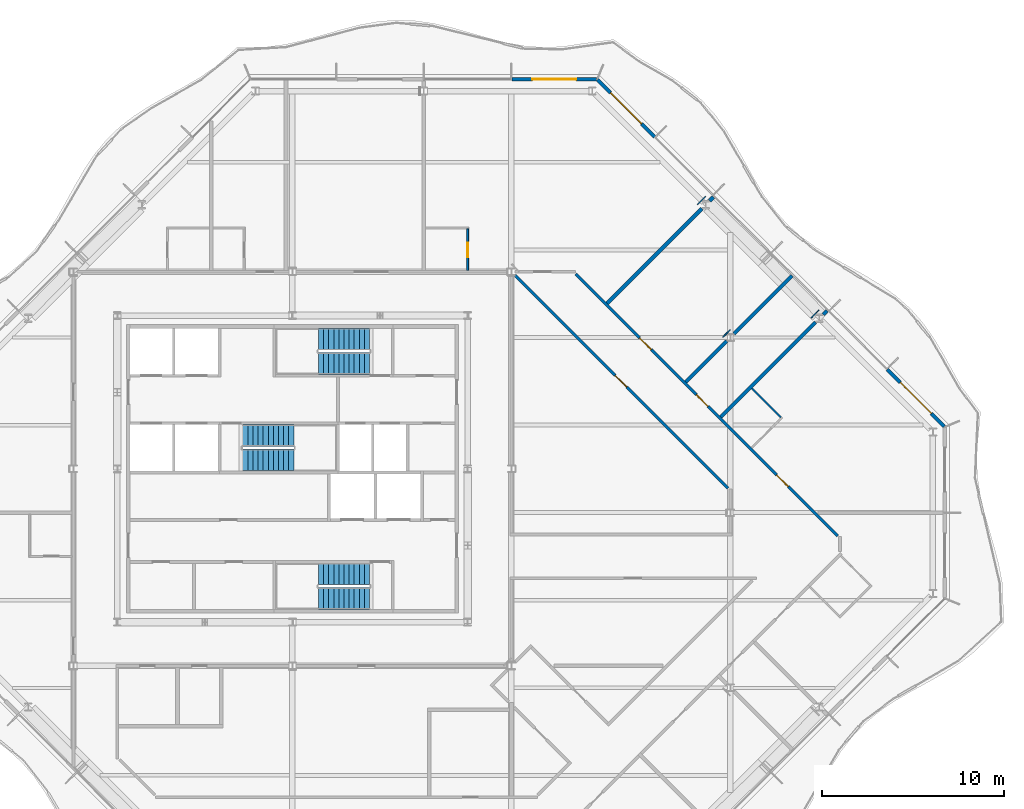
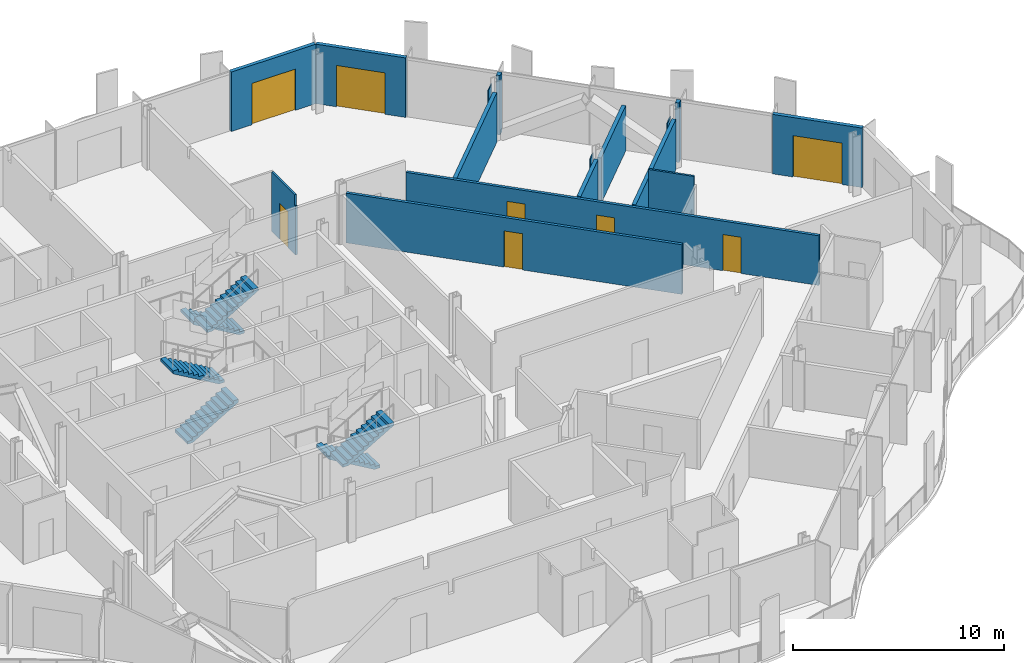
# One storey, part 12 of 17: 16 walls, 8 doors, 6 stair flights, 8 openings, 3 elements without a shape of their own.
"""IFC4 building model written with IfcOpenShell, lengths in metres."""

from ifc_helpers import new_model, si_unit, direction, frame, frame_2d, origin, place, context, subcontext, project, spatial, polyline, rectangle, outline, extrude, material, layer, layer_set, type_object, element, fill, aggregate, save


model = new_model("IFC4")

# Units and contexts
model_context = context("Model", 3, precision=1e-05, world=origin(), true_north=direction((0.0, 1.0)))
body_context = subcontext(model_context, "Body", "Model", "MODEL_VIEW")
ifc_project = project(units=[si_unit("LENGTHUNIT", "METRE"), si_unit("AREAUNIT", "SQUARE_METRE"), si_unit("VOLUMEUNIT", "CUBIC_METRE"), si_unit("PLANEANGLEUNIT", "RADIAN"), si_unit("MASSUNIT", "GRAM", prefix="KILO")], contexts=[model_context])

# Site, building, storey
site_placement = place(None, origin())
site = spatial("IfcSite", under=ifc_project, at=site_placement, CompositionType="ELEMENT")
building_placement = place(site_placement, origin())
building = spatial("IfcBuilding", under=site, at=building_placement, Name="Cairn Pilgrim Tower", CompositionType="ELEMENT")
storey_placement = place(building_placement, frame((0.0, 0.0, 232.199951171875)))
storey = spatial("IfcBuildingStorey", under=building, at=storey_placement, Name="L59", CompositionType="ELEMENT", Elevation=232.199951171875)

# Wall, opening, door
ifc_material_1 = material(Name="Bronze anodised aluminium insulated sandwich panel with mineral wool fill", Category="aluminium")
ifc_layer_1 = layer(ifc_material_1, 0.199951171875)
ifc_layer_set_1 = layer_set([ifc_layer_1], Name="BRONZE INFILL FRAME WALL 200")
wall_type_1 = type_object("IfcWallType", Name="BRONZE INFILL FRAME WALL 200", PredefinedType="NOTDEFINED", material=ifc_layer_set_1)
wall_1_placement = place(storey_placement, frame((42.921630859375, 4.724609375, 0.0), z_axis=(0.0, 0.0, 1.0), x_axis=(-0.707079168996, 0.707134392299, 0.0)))
wall_1 = element("IfcWall", 1, at=wall_1_placement, inside=storey, type_object=wall_type_1, Name="Bronze infill frame wall IW-NE1", PredefinedType="NOTDEFINED", context=body_context, shape_type="SweptSolid", body=[
    extrude(rectangle(XDim=4.4208984375, YDim=0.199951171875, at=frame_2d((2.21044921875, 0.0))), origin(), (0.0, 0.0, 1.0), 3.449951171875),
])
opening_1_placement = place(wall_1_placement, frame((1.00537109375, 0.0, 0.0)))
opening_1 = element("IfcOpeningElement", 2, at=opening_1_placement, cuts=wall_1, Name="Opening 5905B", PredefinedType="OPENING", context=body_context, shape_type="SweptSolid", body=[
    extrude(rectangle(XDim=2.39990234375, YDim=2.39990234375, at=frame_2d((1.199951171875, 1.199951171875))), frame((0.0, 0.10986328125, 0.0), z_axis=(0.0, -1.0, 0.0), x_axis=(1.0, 0.0, 0.0)), (0.0, 0.0, 1.0), 0.219970703125),
])
ifc_material_2 = material(Name="Bronze anodised aluminium frame with tinted low-E glass", Category="aluminium")
door_type_1 = type_object("IfcDoorType", Name="BALCONY SLIDING DOOR 2400x2400", OperationType="DOUBLE_DOOR_SLIDING", PredefinedType="DOOR", material=ifc_material_2)
door_1_placement = place(opening_1_placement, origin())
door_1 = element("IfcDoor", 3, at=door_1_placement, inside=storey, type_object=door_type_1, Name="Balcony sliding door 5905B", OperationType="SINGLE_SWING_LEFT", OverallHeight=2.39990234375, OverallWidth=2.39990234375, PredefinedType="DOOR", context=body_context, shape_type="SweptSolid", body=[
    extrude(rectangle(XDim=2.39990234375, YDim=2.39990234375, at=frame_2d((1.199951171875, 1.199951171875))), frame((0.0, 0.02490234375, 0.0), z_axis=(0.0, -1.0, 0.0), x_axis=(1.0, 0.0, 0.0)), (0.0, 0.0, 1.0), 0.050048828125),
])
fill(opening_1, door_1)

wall_2_placement = place(storey_placement, frame((27.05078125, 20.595703125, 0.0), z_axis=(0.0, 0.0, 1.0), x_axis=(-0.707106781187, 0.707106781187, 0.0)))
wall_2 = element("IfcWall", 4, at=wall_2_placement, inside=storey, type_object=wall_type_1, Name="Bronze infill frame wall IW-NE6", PredefinedType="NOTDEFINED", context=body_context, shape_type="SweptSolid", body=[
    extrude(rectangle(XDim=4.4208984375, YDim=0.199951171875, at=frame_2d((2.21044921875, 0.0))), origin(), (0.0, 0.0, 1.0), 3.449951171875),
])
opening_2_placement = place(wall_2_placement, frame((1.01513671875, 0.0, 0.0)))
opening_2 = element("IfcOpeningElement", 5, at=opening_2_placement, cuts=wall_2, Name="Opening 5908B", PredefinedType="OPENING", context=body_context, shape_type="SweptSolid", body=[
    extrude(rectangle(XDim=2.39990234375, YDim=2.39990234375, at=frame_2d((1.199951171875, 1.199951171875))), frame((0.0, 0.10986328125, 0.0), z_axis=(0.0, -1.0, 0.0), x_axis=(1.0, 0.0, 0.0)), (0.0, 0.0, 1.0), 0.219970703125),
])
door_2_placement = place(opening_2_placement, origin())
door_2 = element("IfcDoor", 6, at=door_2_placement, inside=storey, type_object=door_type_1, Name="Balcony sliding door 5908B", OperationType="SINGLE_SWING_LEFT", OverallHeight=2.39990234375, OverallWidth=2.39990234375, PredefinedType="DOOR", context=body_context, shape_type="SweptSolid", body=[
    extrude(rectangle(XDim=2.39990234375, YDim=2.39990234375, at=frame_2d((1.199951171875, 1.199951171875))), frame((0.0, 0.02490234375, 0.0), z_axis=(0.0, -1.0, 0.0), x_axis=(1.0, 0.0, 0.0)), (0.0, 0.0, 1.0), 0.050048828125),
])
fill(opening_2, door_2)

wall_3_placement = place(storey_placement, frame((23.8564453125, 23.75, 0.0), z_axis=(0.0, 0.0, 1.0), x_axis=(-1.0, 0.0, 0.0)))
wall_3 = element("IfcWall", 7, at=wall_3_placement, inside=storey, type_object=wall_type_1, Name="Bronze infill frame wall IW-N1", PredefinedType="NOTDEFINED", context=body_context, shape_type="SweptSolid", body=[
    extrude(rectangle(XDim=4.62646484375, YDim=0.199951171875, at=frame_2d((2.313232421875, 0.0))), origin(), (0.0, 0.0, 1.0), 3.449951171875),
])
opening_3_placement = place(wall_3_placement, frame((1.1083984375, 0.0, 0.0)))
opening_3 = element("IfcOpeningElement", 8, at=opening_3_placement, cuts=wall_3, Name="Opening 5908B2", PredefinedType="OPENING", context=body_context, shape_type="SweptSolid", body=[
    extrude(rectangle(XDim=2.39990234375, YDim=2.39990234375, at=frame_2d((1.199951171875, 1.199951171875))), frame((0.0, 0.10986328125, 0.0), z_axis=(0.0, -1.0, 0.0), x_axis=(1.0, 0.0, 0.0)), (0.0, 0.0, 1.0), 0.219970703125),
])
door_3_placement = place(opening_3_placement, origin())
door_3 = element("IfcDoor", 9, at=door_3_placement, inside=storey, type_object=door_type_1, Name="Balcony sliding door 5908B2", OperationType="SINGLE_SWING_LEFT", OverallHeight=2.39990234375, OverallWidth=2.39990234375, PredefinedType="DOOR", context=body_context, shape_type="SweptSolid", body=[
    extrude(rectangle(XDim=2.39990234375, YDim=2.39990234375, at=frame_2d((1.199951171875, 1.199951171875))), frame((0.0, 0.02490234375, 0.0), z_axis=(0.0, -1.0, 0.0), x_axis=(1.0, 0.0, 0.0)), (0.0, 0.0, 1.0), 0.050048828125),
])
fill(opening_3, door_3)

# Wall
ifc_material_3 = material(Name="Gypsum partition")
ifc_layer_2 = layer(ifc_material_3, 0.10009765625)
ifc_layer_set_2 = layer_set([ifc_layer_2], Name="PARTITION 100 DRYWALL")
wall_type_2 = type_object("IfcWallType", Name="PARTITION 100 DRYWALL", PredefinedType="PARTITIONING", material=ifc_layer_set_2)
wall_4_placement = place(storey_placement, frame((33.967529296875, 5.220458984375, 0.0), z_axis=(0.0, 0.0, 1.0), x_axis=(-0.707106781187, 0.707106781187, 0.0)))
element("IfcWall", 10, at=wall_4_placement, inside=storey, type_object=wall_type_2, Name="PARTITION W062", PredefinedType="PARTITIONING", context=body_context, shape_type="SweptSolid", body=[
    extrude(rectangle(XDim=2.249755859375, YDim=0.10009765625, at=frame_2d((1.125, 0.0))), origin(), (0.0, 0.0, 1.0), 3.449951171875),
])

# Wall, opening, door
wall_5_placement = place(storey_placement, frame((16.800048828125, 13.27490234375, 0.0), z_axis=(0.0, 0.0, 1.0), x_axis=(0.0, 1.0, 0.0)))
wall_5 = element("IfcWall", 11, at=wall_5_placement, inside=storey, type_object=wall_type_2, Name="PARTITION W075", PredefinedType="PARTITIONING", context=body_context, shape_type="SweptSolid", body=[
    extrude(outline(polyline([(0.0, 0.0), (2.275146484375, 0.0), (2.27490234375, 3.449951171875), (0.074951171875, 3.449951171875), (0.072998046875, 2.830078125), (0.0, 2.830078125), (0.0, 0.0)])), frame((0.0, 0.050048828125, 0.0), z_axis=(0.0, -1.0, 0.0), x_axis=(1.0, 0.0, 0.0)), (0.0, 0.0, 1.0), 0.10009765625),
])
opening_4_placement = place(wall_5_placement, frame((0.72509765625, 0.0, 0.0)))
opening_4 = element("IfcOpeningElement", 12, at=opening_4_placement, cuts=wall_5, Name="Opening 5908A", PredefinedType="OPENING", context=body_context, shape_type="SweptSolid", body=[
    extrude(rectangle(XDim=0.800048828125, YDim=2.10009765625, at=frame_2d((0.39990234375, 1.050048828125))), frame((0.0, 0.06005859375, 0.0), z_axis=(0.0, -1.0, 0.0), x_axis=(1.0, 0.0, 0.0)), (0.0, 0.0, 1.0), 0.1201171875),
])
ifc_material_4 = material(Name="Timber door leaf", Category="wood")
door_type_2 = type_object("IfcDoorType", Name="WC DOOR 800x2100", OperationType="NOTDEFINED", PredefinedType="DOOR", material=ifc_material_4)
door_4_placement = place(opening_4_placement, frame((0.800048828125, 0.0, 0.0), z_axis=(0.0, 0.0, 1.0), x_axis=(-1.0, 0.0, 0.0)))
door_4 = element("IfcDoor", 13, at=door_4_placement, inside=storey, type_object=door_type_2, Name="DOOR 5908A", OperationType="SINGLE_SWING_LEFT", OverallHeight=2.10009765625, OverallWidth=0.800048828125, PredefinedType="DOOR", context=body_context, shape_type="SweptSolid", body=[
    extrude(rectangle(XDim=0.800048828125, YDim=2.10009765625, at=frame_2d((0.39990234375, 1.050048828125))), frame((0.0, 0.02490234375, 0.0), z_axis=(0.0, -1.0, 0.0), x_axis=(1.0, 0.0, 0.0)), (0.0, 0.0, 1.0), 0.050048828125),
])
fill(opening_4, door_4)

# Wall, openings, doors
ifc_layer_3 = layer(ifc_material_3, 0.14990234375)
ifc_layer_set_3 = layer_set([ifc_layer_3], Name="PARTITION 150 DRYWALL EI 60")
wall_type_3 = type_object("IfcWallType", Name="PARTITION 150 DRYWALL EI 60", PredefinedType="PARTITIONING", material=ifc_layer_set_3)
wall_6_placement = place(storey_placement, frame((37.072021484375, -1.278076171875, 0.0), z_axis=(0.0, 0.0, 1.0), x_axis=(-0.707106781187, 0.707106781187, 0.0)))
wall_6 = element("IfcWall", 14, at=wall_6_placement, inside=storey, type_object=wall_type_3, Name="PARTITION W050", PredefinedType="PARTITIONING", context=body_context, shape_type="SweptSolid", body=[
    extrude(rectangle(XDim=20.294189453125, YDim=0.14990234375, at=frame_2d((10.14697265625, 0.0))), origin(), (0.0, 0.0, 1.0), 2.880126953125),
])
opening_5_placement = place(wall_6_placement, frame((3.823974609375, 0.0, 0.0)))
opening_5 = element("IfcOpeningElement", 15, at=opening_5_placement, cuts=wall_6, Name="Opening 5905", PredefinedType="OPENING", context=body_context, shape_type="SweptSolid", body=[
    extrude(rectangle(XDim=0.89990234375, YDim=2.10009765625, at=frame_2d((0.449951171875, 1.050048828125))), frame((0.0, 0.0849609375, 0.0), z_axis=(0.0, -1.0, 0.0), x_axis=(1.0, 0.0, 0.0)), (0.0, 0.0, 1.0), 0.169921875),
])
opening_6_placement = place(wall_6_placement, frame((10.0419921875, 0.0, 0.0)))
opening_6 = element("IfcOpeningElement", 16, at=opening_6_placement, cuts=wall_6, Name="Opening 5906", PredefinedType="OPENING", context=body_context, shape_type="SweptSolid", body=[
    extrude(rectangle(XDim=0.89990234375, YDim=2.10009765625, at=frame_2d((0.449951171875, 1.050048828125))), frame((0.0, 0.0849609375, 0.0), z_axis=(0.0, -1.0, 0.0), x_axis=(1.0, 0.0, 0.0)), (0.0, 0.0, 1.0), 0.169921875),
])
opening_7_placement = place(wall_6_placement, frame((14.443115234375, 0.0, 0.0)))
opening_7 = element("IfcOpeningElement", 17, at=opening_7_placement, cuts=wall_6, Name="Opening 5907", PredefinedType="OPENING", context=body_context, shape_type="SweptSolid", body=[
    extrude(rectangle(XDim=0.89990234375, YDim=2.10009765625, at=frame_2d((0.449951171875, 1.050048828125))), frame((0.0, 0.0849609375, 0.0), z_axis=(0.0, -1.0, 0.0), x_axis=(1.0, 0.0, 0.0)), (0.0, 0.0, 1.0), 0.169921875),
])
door_type_3 = type_object("IfcDoorType", Name="ROOM DOOR 900x2100 FD30S", OperationType="NOTDEFINED", PredefinedType="DOOR", material=ifc_material_4)
door_5_placement = place(opening_5_placement, frame((0.89990234375, 0.0, 0.0), z_axis=(0.0, 0.0, 1.0), x_axis=(-1.0, 0.0, 0.0)))
door_5 = element("IfcDoor", 18, at=door_5_placement, inside=storey, type_object=door_type_3, Name="DOOR 5905", OperationType="SINGLE_SWING_LEFT", OverallHeight=2.10009765625, OverallWidth=0.89990234375, PredefinedType="DOOR", context=body_context, shape_type="SweptSolid", body=[
    extrude(rectangle(XDim=0.89990234375, YDim=2.10009765625, at=frame_2d((0.449951171875, 1.050048828125))), frame((0.0, 0.02490234375, 0.0), z_axis=(0.0, -1.0, 0.0), x_axis=(1.0, 0.0, 0.0)), (0.0, 0.0, 1.0), 0.050048828125),
])
fill(opening_5, door_5)
door_type_4 = type_object("IfcDoorType", Name="SERVICE DOOR 900x2100 FD30S", OperationType="NOTDEFINED", PredefinedType="DOOR", material=ifc_material_4)
door_6_placement = place(opening_6_placement, frame((0.89990234375, 0.0, 0.0), z_axis=(0.0, 0.0, 1.0), x_axis=(-1.0, 0.0, 0.0)))
door_6 = element("IfcDoor", 19, at=door_6_placement, inside=storey, type_object=door_type_4, Name="DOOR 5906", OperationType="SINGLE_SWING_LEFT", OverallHeight=2.10009765625, OverallWidth=0.89990234375, PredefinedType="DOOR", context=body_context, shape_type="SweptSolid", body=[
    extrude(rectangle(XDim=0.89990234375, YDim=2.10009765625, at=frame_2d((0.449951171875, 1.050048828125))), frame((0.0, 0.02490234375, 0.0), z_axis=(0.0, -1.0, 0.0), x_axis=(1.0, 0.0, 0.0)), (0.0, 0.0, 1.0), 0.050048828125),
])
fill(opening_6, door_6)
door_7_placement = place(opening_7_placement, frame((0.89990234375, 0.0, 0.0), z_axis=(0.0, 0.0, 1.0), x_axis=(-1.0, 0.0, 0.0)))
door_7 = element("IfcDoor", 20, at=door_7_placement, inside=storey, type_object=door_type_4, Name="DOOR 5907", OperationType="SINGLE_SWING_LEFT", OverallHeight=2.10009765625, OverallWidth=0.89990234375, PredefinedType="DOOR", context=body_context, shape_type="SweptSolid", body=[
    extrude(rectangle(XDim=0.89990234375, YDim=2.10009765625, at=frame_2d((0.449951171875, 1.050048828125))), frame((0.0, 0.02490234375, 0.0), z_axis=(0.0, -1.0, 0.0), x_axis=(1.0, 0.0, 0.0)), (0.0, 0.0, 1.0), 0.050048828125),
])
fill(opening_7, door_7)

# Wall, opening, door
wall_7_placement = place(storey_placement, frame((31.072021484375, 1.327880859375, 0.0), z_axis=(0.0, 0.0, 1.0), x_axis=(-0.707106781187, 0.707106781187, 0.0)))
wall_7 = element("IfcWall", 21, at=wall_7_placement, inside=storey, type_object=wall_type_3, Name="PARTITION W057", PredefinedType="PARTITIONING", context=body_context, shape_type="SweptSolid", body=[
    extrude(rectangle(XDim=16.509521484375, YDim=0.14990234375, at=frame_2d((8.2548828125, 0.0))), origin(), (0.0, 0.0, 1.0), 2.880126953125),
])
opening_8_placement = place(wall_7_placement, frame((7.85400390625, 0.0, 0.0)))
opening_8 = element("IfcOpeningElement", 22, at=opening_8_placement, cuts=wall_7, Name="Opening 5920", PredefinedType="OPENING", context=body_context, shape_type="SweptSolid", body=[
    extrude(rectangle(XDim=0.89990234375, YDim=2.10009765625, at=frame_2d((0.449951171875, 1.050048828125))), frame((0.0, 0.0849609375, 0.0), z_axis=(0.0, -1.0, 0.0), x_axis=(1.0, 0.0, 0.0)), (0.0, 0.0, 1.0), 0.169921875),
])
door_8_placement = place(opening_8_placement, origin())
door_8 = element("IfcDoor", 23, at=door_8_placement, inside=storey, type_object=door_type_4, Name="DOOR 5920", OperationType="SINGLE_SWING_LEFT", OverallHeight=2.10009765625, OverallWidth=0.89990234375, PredefinedType="DOOR", context=body_context, shape_type="SweptSolid", body=[
    extrude(rectangle(XDim=0.89990234375, YDim=2.10009765625, at=frame_2d((0.449951171875, 1.050048828125))), frame((0.0, 0.02490234375, 0.0), z_axis=(0.0, -1.0, 0.0), x_axis=(1.0, 0.0, 0.0)), (0.0, 0.0, 1.0), 0.050048828125),
])
fill(opening_8, door_8)

# Walls
ifc_layer_4 = layer(ifc_material_3, 0.050048828125)
ifc_layer_set_4 = layer_set([ifc_layer_4], Name="PARTITION 50 DRYWALL EI 60")
wall_type_4 = type_object("IfcWallType", Name="PARTITION 50 DRYWALL EI 60", PredefinedType="PARTITIONING", material=ifc_layer_set_4)
wall_8_placement = place(storey_placement, frame((35.626953125, 10.669189453125, 0.0), z_axis=(0.0, 0.0, 1.0), x_axis=(0.707307009627, 0.706906496032, 0.0)))
element("IfcWall", 24, at=wall_8_placement, inside=storey, type_object=wall_type_4, Name="COLUMN CASING WC16", PredefinedType="PARTITIONING", context=body_context, shape_type="SweptSolid", body=[
    extrude(rectangle(XDim=0.609619140625, YDim=0.050048828125, at=frame_2d((0.3046875, 0.0))), origin(), (0.0, 0.0, 1.0), 2.630126953125),
])
wall_9_placement = place(storey_placement, frame((30.786376953125, 9.61767578125, 0.0), z_axis=(0.0, 0.0, 1.0), x_axis=(0.707106781187, 0.707106781187, 0.0)))
element("IfcWall", 25, at=wall_9_placement, inside=storey, type_object=wall_type_4, Name="COLUMN CASING WC17", PredefinedType="PARTITIONING", context=body_context, shape_type="SweptSolid", body=[
    extrude(rectangle(XDim=0.56005859375, YDim=0.050048828125, at=frame_2d((0.280029296875, 0.0))), origin(), (0.0, 0.0, 1.0), 2.880126953125),
])
wall_10_placement = place(storey_placement, frame((29.40283203125, 16.893310546875, 0.0), z_axis=(0.0, 0.0, 1.0), x_axis=(0.706906496032, 0.707307009627, 0.0)))
element("IfcWall", 26, at=wall_10_placement, inside=storey, type_object=wall_type_4, Name="COLUMN CASING WC18", PredefinedType="PARTITIONING", context=body_context, shape_type="SweptSolid", body=[
    extrude(rectangle(XDim=0.609619140625, YDim=0.050048828125, at=frame_2d((0.3046875, 0.0))), origin(), (0.0, 0.0, 1.0), 2.929931640625),
])
ifc_layer_5 = layer(ifc_material_3, 0.199951171875)
ifc_layer_set_5 = layer_set([ifc_layer_5], Name="SHAFT WALL 200 GYPSUM EI 60")
wall_type_5 = type_object("IfcWallType", Name="SHAFT WALL 200 GYPSUM EI 60", PredefinedType="PARTITIONING", material=ifc_layer_set_5)
wall_11_placement = place(storey_placement, frame((30.662109375, 5.238037109375, 0.0), z_axis=(0.0, 0.0, 1.0), x_axis=(0.707106781187, 0.707106781187, 0.0)))
element("IfcWall", 27, at=wall_11_placement, inside=storey, type_object=wall_type_5, Name="PARTITION W061", PredefinedType="PARTITIONING", context=body_context, shape_type="SweptSolid", body=[
    extrude(rectangle(XDim=7.35107421875, YDim=0.199951171875, at=frame_2d((3.675537109375, 0.0))), origin(), (0.0, 0.0, 1.0), 2.929931640625),
])
wall_12_placement = place(storey_placement, frame((28.75, 7.14990234375, 0.0), z_axis=(0.0, 0.0, 1.0), x_axis=(0.7070684525, 0.707145107796, 0.0)))
element("IfcWall", 28, at=wall_12_placement, inside=storey, type_object=wall_type_5, Name="PARTITION W063", PredefinedType="PARTITIONING", context=body_context, shape_type="SweptSolid", body=[
    extrude(rectangle(XDim=3.184814453125, YDim=0.199951171875, at=frame_2d((1.59228515625, 0.0))), origin(), (0.0, 0.0, 1.0), 2.929931640625),
])
wall_13_placement = place(storey_placement, frame((31.39794921875, 9.798095703125, 0.0), z_axis=(0.0, 0.0, 1.0), x_axis=(0.707133900936, 0.707079660397, 0.0)))
element("IfcWall", 29, at=wall_13_placement, inside=storey, type_object=wall_type_5, Name="PARTITION W064", PredefinedType="PARTITIONING", context=body_context, shape_type="SweptSolid", body=[
    extrude(rectangle(XDim=4.5009765625, YDim=0.199951171875, at=frame_2d((2.25048828125, 0.0))), origin(), (0.0, 0.0, 1.0), 2.630126953125),
])
wall_14_placement = place(storey_placement, frame((36.291015625, 10.8671875, 0.0), z_axis=(0.0, 0.0, 1.0), x_axis=(0.707534423513, 0.706678880075, 0.0)))
element("IfcWall", 30, at=wall_14_placement, inside=storey, type_object=wall_type_5, Name="PARTITION W065", PredefinedType="PARTITIONING", context=body_context, shape_type="SweptSolid", body=[
    extrude(rectangle(XDim=0.285400390625, YDim=0.199951171875, at=frame_2d((0.142578125, 0.0))), origin(), (0.0, 0.0, 1.0), 3.449951171875),
])
wall_15_placement = place(storey_placement, frame((24.43798828125, 11.4619140625, 0.0), z_axis=(0.0, 0.0, 1.0), x_axis=(0.707090175614, 0.707123386369, 0.0)))
element("IfcWall", 31, at=wall_15_placement, inside=storey, type_object=wall_type_5, Name="PARTITION W066", PredefinedType="PARTITIONING", context=body_context, shape_type="SweptSolid", body=[
    extrude(rectangle(XDim=7.351318359375, YDim=0.199951171875, at=frame_2d((3.67578125, 0.0))), origin(), (0.0, 0.0, 1.0), 2.880126953125),
])
wall_16_placement = place(storey_placement, frame((30.067138671875, 17.091064453125, 0.0), z_axis=(0.0, 0.0, 1.0), x_axis=(0.707106781187, 0.707106781187, 0.0)))
element("IfcWall", 32, at=wall_16_placement, inside=storey, type_object=wall_type_5, Name="PARTITION W079", PredefinedType="PARTITIONING", context=body_context, shape_type="SweptSolid", body=[
    extrude(rectangle(XDim=0.28515625, YDim=0.199951171875, at=frame_2d((0.142578125, 0.0))), origin(), (0.0, 0.0, 1.0), 3.449951171875),
])

# Stair, stair flights
ifc_material_5 = material(Name="Concrete C32/40", Category="concrete")
stair_type = type_object("IfcStairType", Name="EXIT STAIR 1200", PredefinedType="HALF_TURN_STAIR", material=ifc_material_5)
stair_1_placement = place(storey_placement, origin())
stair_1 = element("IfcStair", 33, at=stair_1_placement, inside=storey, type_object=stair_type, Name="L59 Exit Stair A", PredefinedType="HALF_TURN_STAIR")
stair_flight_type = type_object("IfcStairFlightType", Name="STAIR FLIGHT 1200", PredefinedType="STRAIGHT", material=ifc_material_5)
stair_flight_1_placement = place(storey_placement, frame((11.425048828125, -3.375, 0.0), z_axis=(0.0, 0.0, 1.0), x_axis=(-1.0, 0.0, 0.0)))
stair_flight_1 = element("IfcStairFlight", 34, at=stair_flight_1_placement, type_object=stair_flight_type, Name="ST-A flight 1", NumberOfRisers=11, NumberOfTreads=10, PredefinedType="STRAIGHT", RiserHeight=0.163636364, TreadLength=0.28, context=body_context, shape_type="SweptSolid", body=[
    extrude(outline(polyline([(0.0, 0.0), (0.0, 0.16357421875), (0.280029296875, 0.16357421875), (0.280029296875, 0.327392578125), (0.56005859375, 0.327392578125), (0.56005859375, 0.490966796875), (0.840087890625, 0.490966796875), (0.840087890625, 0.654541015625), (1.1201171875, 0.654541015625), (1.1201171875, 0.818115234375), (1.39990234375, 0.818115234375), (1.39990234375, 0.98193359375), (1.679931640625, 0.98193359375), (1.679931640625, 1.1455078125), (1.9599609375, 1.1455078125), (1.9599609375, 1.30908203125), (2.239990234375, 1.30908203125), (2.239990234375, 1.47265625), (2.52001953125, 1.47265625), (2.52001953125, 1.636474609375), (2.800048828125, 1.636474609375), (2.800048828125, 1.800048828125), (2.800048828125, 1.462646484375), (0.297119140625, 0.0), (0.0, 0.0)])), frame((0.0, 0.60009765625, 0.0), z_axis=(0.0, -1.0, 0.0), x_axis=(1.0, 0.0, 0.0)), (0.0, 0.0, 1.0), 1.199951171875),
])
stair_flight_2_placement = place(storey_placement, frame((8.625, -4.699951171875, 1.800048828125), z_axis=(0.0, 0.0, 1.0), x_axis=(1.0, 0.0, 0.0)))
stair_flight_2 = element("IfcStairFlight", 35, at=stair_flight_2_placement, type_object=stair_flight_type, Name="ST-A flight 2", NumberOfRisers=11, NumberOfTreads=10, PredefinedType="STRAIGHT", RiserHeight=0.163636364, TreadLength=0.28, context=body_context, shape_type="SweptSolid", body=[
    extrude(outline(polyline([(0.0, 0.0), (0.0, 0.16357421875), (0.280029296875, 0.16357421875), (0.280029296875, 0.327392578125), (0.56005859375, 0.327392578125), (0.56005859375, 0.490966796875), (0.840087890625, 0.490966796875), (0.840087890625, 0.654541015625), (1.1201171875, 0.654541015625), (1.1201171875, 0.818115234375), (1.39990234375, 0.818115234375), (1.39990234375, 0.98193359375), (1.679931640625, 0.98193359375), (1.679931640625, 1.1455078125), (1.9599609375, 1.1455078125), (1.9599609375, 1.30908203125), (2.239990234375, 1.30908203125), (2.239990234375, 1.47265625), (2.52001953125, 1.47265625), (2.52001953125, 1.636474609375), (2.800048828125, 1.636474609375), (2.800048828125, 1.800048828125), (2.800048828125, 1.462646484375), (0.297119140625, 0.0), (0.0, 0.0)])), frame((0.0, 0.60009765625, 0.0), z_axis=(0.0, -1.0, 0.0), x_axis=(1.0, 0.0, 0.0)), (0.0, 0.0, 1.0), 1.199951171875),
])
aggregate(stair_1, [stair_flight_1, stair_flight_2])

stair_2_placement = place(storey_placement, origin())
stair_2 = element("IfcStair", 36, at=stair_2_placement, inside=storey, type_object=stair_type, Name="L59 Exit Stair B", PredefinedType="HALF_TURN_STAIR")
stair_flight_3_placement = place(storey_placement, frame((4.47509765625, 2.875, 0.0), z_axis=(0.0, 0.0, 1.0), x_axis=(1.0, 0.0, 0.0)))
stair_flight_3 = element("IfcStairFlight", 37, at=stair_flight_3_placement, type_object=stair_flight_type, Name="ST-B flight 1", NumberOfRisers=11, NumberOfTreads=10, PredefinedType="STRAIGHT", RiserHeight=0.163636364, TreadLength=0.28, context=body_context, shape_type="SweptSolid", body=[
    extrude(outline(polyline([(0.0, 0.0), (0.0, 0.16357421875), (0.280029296875, 0.16357421875), (0.280029296875, 0.327392578125), (0.56005859375, 0.327392578125), (0.56005859375, 0.490966796875), (0.840087890625, 0.490966796875), (0.840087890625, 0.654541015625), (1.1201171875, 0.654541015625), (1.1201171875, 0.818115234375), (1.39990234375, 0.818115234375), (1.39990234375, 0.98193359375), (1.679931640625, 0.98193359375), (1.679931640625, 1.1455078125), (1.9599609375, 1.1455078125), (1.9599609375, 1.30908203125), (2.239990234375, 1.30908203125), (2.239990234375, 1.47265625), (2.52001953125, 1.47265625), (2.52001953125, 1.636474609375), (2.800048828125, 1.636474609375), (2.800048828125, 1.800048828125), (2.800048828125, 1.462646484375), (0.297119140625, 0.0), (0.0, 0.0)])), frame((0.0, 0.60009765625, 0.0), z_axis=(0.0, -1.0, 0.0), x_axis=(1.0, 0.0, 0.0)), (0.0, 0.0, 1.0), 1.199951171875),
])
stair_flight_4_placement = place(storey_placement, frame((7.27490234375, 4.22509765625, 1.800048828125), z_axis=(0.0, 0.0, 1.0), x_axis=(-1.0, 0.0, 0.0)))
stair_flight_4 = element("IfcStairFlight", 38, at=stair_flight_4_placement, type_object=stair_flight_type, Name="ST-B flight 2", NumberOfRisers=11, NumberOfTreads=10, PredefinedType="STRAIGHT", RiserHeight=0.163636364, TreadLength=0.28, context=body_context, shape_type="SweptSolid", body=[
    extrude(outline(polyline([(0.0, 0.0), (0.0, 0.16357421875), (0.280029296875, 0.16357421875), (0.280029296875, 0.327392578125), (0.56005859375, 0.327392578125), (0.56005859375, 0.490966796875), (0.840087890625, 0.490966796875), (0.840087890625, 0.654541015625), (1.1201171875, 0.654541015625), (1.1201171875, 0.818115234375), (1.39990234375, 0.818115234375), (1.39990234375, 0.98193359375), (1.679931640625, 0.98193359375), (1.679931640625, 1.1455078125), (1.9599609375, 1.1455078125), (1.9599609375, 1.30908203125), (2.239990234375, 1.30908203125), (2.239990234375, 1.47265625), (2.52001953125, 1.47265625), (2.52001953125, 1.636474609375), (2.800048828125, 1.636474609375), (2.800048828125, 1.800048828125), (2.800048828125, 1.462646484375), (0.297119140625, 0.0), (0.0, 0.0)])), frame((0.0, 0.60009765625, 0.0), z_axis=(0.0, -1.0, 0.0), x_axis=(1.0, 0.0, 0.0)), (0.0, 0.0, 1.0), 1.199951171875),
])
aggregate(stair_2, [stair_flight_3, stair_flight_4])

stair_3_placement = place(storey_placement, origin())
stair_3 = element("IfcStair", 39, at=stair_3_placement, inside=storey, type_object=stair_type, Name="L59 Exit Stair C", PredefinedType="HALF_TURN_STAIR")
stair_flight_5_placement = place(storey_placement, frame((11.425048828125, 9.5, 0.0), z_axis=(0.0, 0.0, 1.0), x_axis=(-1.0, 0.0, 0.0)))
stair_flight_5 = element("IfcStairFlight", 40, at=stair_flight_5_placement, type_object=stair_flight_type, Name="ST-C flight 1", NumberOfRisers=11, NumberOfTreads=10, PredefinedType="STRAIGHT", RiserHeight=0.163636364, TreadLength=0.28, context=body_context, shape_type="SweptSolid", body=[
    extrude(outline(polyline([(0.0, 0.0), (0.0, 0.16357421875), (0.280029296875, 0.16357421875), (0.280029296875, 0.327392578125), (0.56005859375, 0.327392578125), (0.56005859375, 0.490966796875), (0.840087890625, 0.490966796875), (0.840087890625, 0.654541015625), (1.1201171875, 0.654541015625), (1.1201171875, 0.818115234375), (1.39990234375, 0.818115234375), (1.39990234375, 0.98193359375), (1.679931640625, 0.98193359375), (1.679931640625, 1.1455078125), (1.9599609375, 1.1455078125), (1.9599609375, 1.30908203125), (2.239990234375, 1.30908203125), (2.239990234375, 1.47265625), (2.52001953125, 1.47265625), (2.52001953125, 1.636474609375), (2.800048828125, 1.636474609375), (2.800048828125, 1.800048828125), (2.800048828125, 1.462646484375), (0.297119140625, 0.0), (0.0, 0.0)])), frame((0.0, 0.60009765625, 0.0), z_axis=(0.0, -1.0, 0.0), x_axis=(1.0, 0.0, 0.0)), (0.0, 0.0, 1.0), 1.199951171875),
])
stair_flight_6_placement = place(storey_placement, frame((8.625, 8.175048828125, 1.800048828125), z_axis=(0.0, 0.0, 1.0), x_axis=(1.0, 0.0, 0.0)))
stair_flight_6 = element("IfcStairFlight", 41, at=stair_flight_6_placement, type_object=stair_flight_type, Name="ST-C flight 2", NumberOfRisers=11, NumberOfTreads=10, PredefinedType="STRAIGHT", RiserHeight=0.163636364, TreadLength=0.28, context=body_context, shape_type="SweptSolid", body=[
    extrude(outline(polyline([(0.0, 0.0), (0.0, 0.16357421875), (0.280029296875, 0.16357421875), (0.280029296875, 0.327392578125), (0.56005859375, 0.327392578125), (0.56005859375, 0.490966796875), (0.840087890625, 0.490966796875), (0.840087890625, 0.654541015625), (1.1201171875, 0.654541015625), (1.1201171875, 0.818115234375), (1.39990234375, 0.818115234375), (1.39990234375, 0.98193359375), (1.679931640625, 0.98193359375), (1.679931640625, 1.1455078125), (1.9599609375, 1.1455078125), (1.9599609375, 1.30908203125), (2.239990234375, 1.30908203125), (2.239990234375, 1.47265625), (2.52001953125, 1.47265625), (2.52001953125, 1.636474609375), (2.800048828125, 1.636474609375), (2.800048828125, 1.800048828125), (2.800048828125, 1.462646484375), (0.297119140625, 0.0), (0.0, 0.0)])), frame((0.0, 0.60009765625, 0.0), z_axis=(0.0, -1.0, 0.0), x_axis=(1.0, 0.0, 0.0)), (0.0, 0.0, 1.0), 1.199951171875),
])
aggregate(stair_3, [stair_flight_5, stair_flight_6])

save(model, "model.ifc")
